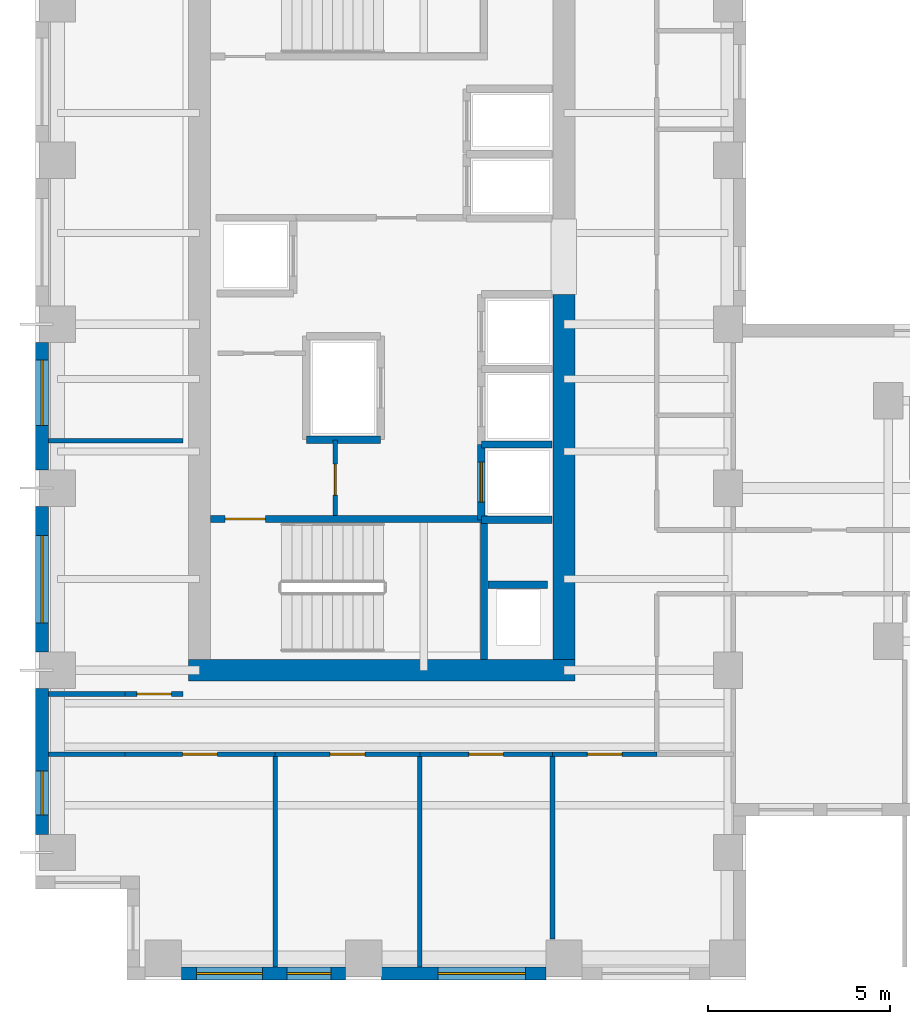
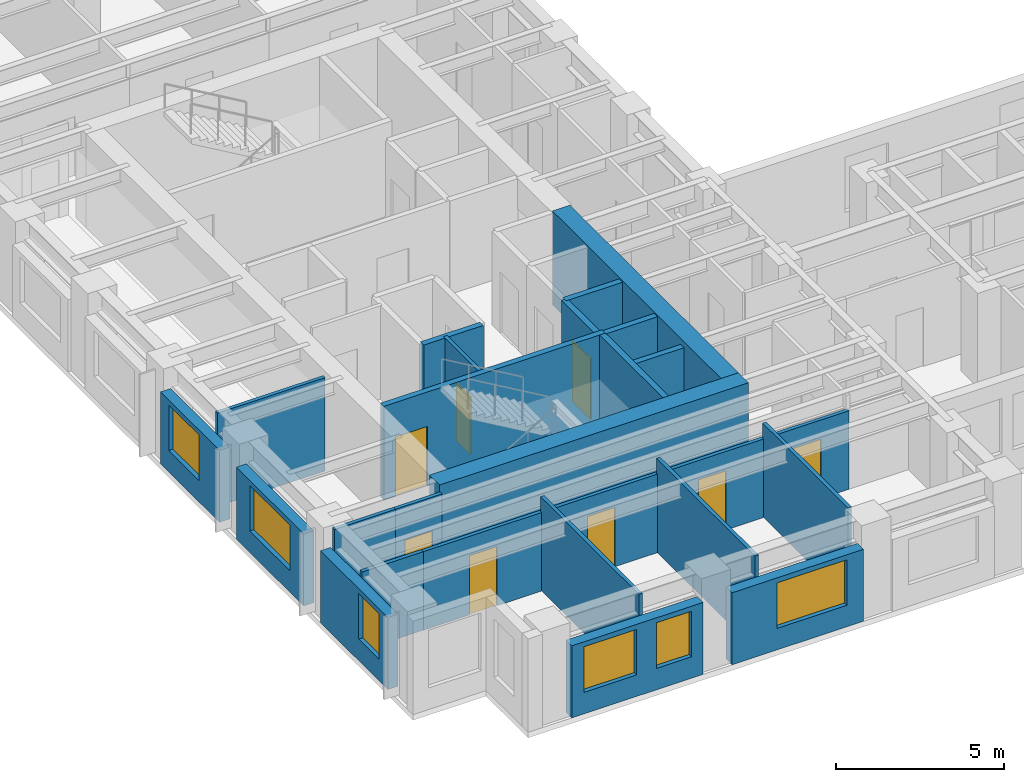
# One storey, part 3 of 11: 26 walls, 8 doors, 6 windows, 14 openings.
"""IFC4 building model written with IfcOpenShell, lengths in metres."""

from ifc_helpers import new_model, si_unit, direction, frame, frame_2d, origin, place, context, subcontext, project, spatial, rectangle, extrude, source, transform, mapped, material, layer, layer_set, type_object, element, fill, save


model = new_model("IFC4")

# Units and contexts
model_context = context("Model", 3, precision=1e-05, world=origin(), true_north=direction((0.0, 1.0)))
body_context = subcontext(model_context, "Body", "Model", "MODEL_VIEW")
ifc_project = project(units=[si_unit("LENGTHUNIT", "METRE"), si_unit("AREAUNIT", "SQUARE_METRE"), si_unit("VOLUMEUNIT", "CUBIC_METRE"), si_unit("PLANEANGLEUNIT", "RADIAN"), si_unit("MASSUNIT", "GRAM", prefix="KILO")], contexts=[model_context])

# Site, building, storey
site_placement = place(None, origin())
site = spatial("IfcSite", under=ifc_project, at=site_placement, CompositionType="ELEMENT")
building_placement = place(site_placement, origin())
building = spatial("IfcBuilding", under=site, at=building_placement, Name="Kharzan Plaza Tower", CompositionType="ELEMENT")
storey_placement = place(building_placement, frame((0.0, 0.0, 150.300048828125)))
storey = spatial("IfcBuildingStorey", under=building, at=storey_placement, Name="L40", CompositionType="ELEMENT", Elevation=150.300048828125)

# Wall, opening, window
ifc_material_1 = material(Name="Concrete C40/50", Category="concrete")
ifc_layer_1 = layer(ifc_material_1, 0.35009765625)
ifc_layer_set_1 = layer_set([ifc_layer_1], Name="Concrete C40/50")
wall_type_1 = type_object("IfcWallType", Name="WL-EXT-MAS-Z3", PredefinedType="SOLIDWALL", material=ifc_layer_set_1)
wall_1_placement = place(storey_placement, frame((0.175048828125, 17.501953125, 0.0), z_axis=(0.0, 0.0, 1.0), x_axis=(0.0, -1.0, 0.0)))
wall_1 = element("IfcWall", 1, at=wall_1_placement, inside=storey, type_object=wall_type_1, Name="L40 Masonry-Frame Exterior Wall 15", PredefinedType="SOLIDWALL", context=body_context, shape_type="SweptSolid", body=[
    extrude(rectangle(XDim=3.50390625, YDim=0.35009765625, at=frame_2d((1.751953125, 0.0))), origin(), (0.0, 0.0, 1.0), 2.612060546875),
])
opening_1_placement = place(wall_1_placement, frame((0.486083984375, 0.0, 0.780029296875)))
opening_1 = element("IfcOpeningElement", 2, at=opening_1_placement, cuts=wall_1, Name="Opening W1", PredefinedType="OPENING", context=body_context, shape_type="SweptSolid", body=[
    extrude(rectangle(XDim=1.800048828125, YDim=1.652099609375, at=frame_2d((0.89990234375, 0.826171875))), frame((0.0, 0.18505859375, 0.0), z_axis=(0.0, -1.0, 0.0), x_axis=(1.0, 0.0, 0.0)), (0.0, 0.0, 1.0), 0.3701171875),
])
ifc_material_2 = material(Name="Low-E Double Glazing", Category="glass")
window_type_1 = type_object("IfcWindowType", Name="WN-REC-1800x2100", PartitioningType="SINGLE_PANEL", PredefinedType="WINDOW", material=ifc_material_2)
shared_shape_1 = source(origin(), body_context, "Body", "SweptSolid", [
    extrude(rectangle(XDim=1.800048828125, YDim=1.652099609375, at=frame_2d((0.89990234375, 0.826171875))), frame((0.0, 0.030029296875, 0.0), z_axis=(0.0, -1.0, 0.0), x_axis=(1.0, 0.0, 0.0)), (0.0, 0.0, 1.0), 0.06005859375),
])
window_1_placement = place(opening_1_placement, origin())
window_1 = element("IfcWindow", 3, at=window_1_placement, inside=storey, type_object=window_type_1, Name="L40 Recessed Solar-Control Window 15-1", OverallHeight=1.652099609375, OverallWidth=1.800048828125, PartitioningType="SINGLE_PANEL", PredefinedType="WINDOW", context=body_context, shape_type="MappedRepresentation", body=[
    mapped(shared_shape_1, transform((0.0, 0.0, 0.0), x_axis=(1.0, 0.0, 0.0), y_axis=(0.0, 1.0, 0.0), z_axis=(0.0, 0.0, 1.0))),
])
fill(opening_1, window_1)

wall_2_placement = place(storey_placement, frame((0.175048828125, 13.001953125, 0.0), z_axis=(0.0, 0.0, 1.0), x_axis=(0.0, -1.0, 0.0)))
wall_2 = element("IfcWall", 4, at=wall_2_placement, inside=storey, type_object=wall_type_1, Name="L40 Masonry-Frame Exterior Wall 16", PredefinedType="SOLIDWALL", context=body_context, shape_type="SweptSolid", body=[
    extrude(rectangle(XDim=4.00390625, YDim=0.35009765625, at=frame_2d((2.001953125, 0.0))), origin(), (0.0, 0.0, 1.0), 2.612060546875),
])
opening_2_placement = place(wall_2_placement, frame((0.802001953125, 0.0, 0.780029296875)))
opening_2 = element("IfcOpeningElement", 5, at=opening_2_placement, cuts=wall_2, Name="Opening W2", PredefinedType="OPENING", context=body_context, shape_type="SweptSolid", body=[
    extrude(rectangle(XDim=2.39990234375, YDim=1.652099609375, at=frame_2d((1.199951171875, 0.826171875))), frame((0.0, 0.18505859375, 0.0), z_axis=(0.0, -1.0, 0.0), x_axis=(1.0, 0.0, 0.0)), (0.0, 0.0, 1.0), 0.3701171875),
])
window_type_2 = type_object("IfcWindowType", Name="WN-REC-2400x2100", PartitioningType="SINGLE_PANEL", PredefinedType="WINDOW", material=ifc_material_2)
shared_shape_2 = source(origin(), body_context, "Body", "SweptSolid", [
    extrude(rectangle(XDim=2.39990234375, YDim=1.652099609375, at=frame_2d((1.199951171875, 0.826171875))), frame((0.0, 0.030029296875, 0.0), z_axis=(0.0, -1.0, 0.0), x_axis=(1.0, 0.0, 0.0)), (0.0, 0.0, 1.0), 0.06005859375),
])
window_2_placement = place(opening_2_placement, origin())
window_2 = element("IfcWindow", 6, at=window_2_placement, inside=storey, type_object=window_type_2, Name="L40 Wide Recessed Solar-Control Window 16-1", OverallHeight=1.652099609375, OverallWidth=2.39990234375, PartitioningType="SINGLE_PANEL", PredefinedType="WINDOW", context=body_context, shape_type="MappedRepresentation", body=[
    mapped(shared_shape_2, transform((0.0, 0.0, 0.0), x_axis=(1.0, 0.0, 0.0), y_axis=(0.0, 1.0, 0.0), z_axis=(0.0, 0.0, 1.0))),
])
fill(opening_2, window_2)

wall_3_placement = place(storey_placement, frame((0.175048828125, 8.001953125, 0.0), z_axis=(0.0, 0.0, 1.0), x_axis=(0.0, -1.0, 0.0)))
wall_3 = element("IfcWall", 7, at=wall_3_placement, inside=storey, type_object=wall_type_1, Name="L40 Masonry-Frame Exterior Wall 17", PredefinedType="SOLIDWALL", context=body_context, shape_type="SweptSolid", body=[
    extrude(rectangle(XDim=4.00390625, YDim=0.35009765625, at=frame_2d((2.001953125, 0.0))), origin(), (0.0, 0.0, 1.0), 2.612060546875),
])
opening_3_placement = place(wall_3_placement, frame((2.26806640625, 0.0, 0.780029296875)))
opening_3 = element("IfcOpeningElement", 8, at=opening_3_placement, cuts=wall_3, Name="Opening W3", PredefinedType="OPENING", context=body_context, shape_type="SweptSolid", body=[
    extrude(rectangle(XDim=1.199951171875, YDim=1.652099609375, at=frame_2d((0.60009765625, 0.826171875))), frame((0.0, 0.18505859375, 0.0), z_axis=(0.0, -1.0, 0.0), x_axis=(1.0, 0.0, 0.0)), (0.0, 0.0, 1.0), 0.3701171875),
])
window_type_3 = type_object("IfcWindowType", Name="WN-REC-1200x2100", PartitioningType="SINGLE_PANEL", PredefinedType="WINDOW", material=ifc_material_2)
shared_shape_3 = source(origin(), body_context, "Body", "SweptSolid", [
    extrude(rectangle(XDim=1.199951171875, YDim=1.652099609375, at=frame_2d((0.60009765625, 0.826171875))), frame((0.0, 0.030029296875, 0.0), z_axis=(0.0, -1.0, 0.0), x_axis=(1.0, 0.0, 0.0)), (0.0, 0.0, 1.0), 0.06005859375),
])
window_3_placement = place(opening_3_placement, origin())
window_3 = element("IfcWindow", 9, at=window_3_placement, inside=storey, type_object=window_type_3, Name="L40 Recessed Solar-Control Window 17-1", OverallHeight=1.652099609375, OverallWidth=1.199951171875, PartitioningType="SINGLE_PANEL", PredefinedType="WINDOW", context=body_context, shape_type="MappedRepresentation", body=[
    mapped(shared_shape_3, transform((0.0, 0.0, 0.0), x_axis=(1.0, 0.0, 0.0), y_axis=(0.0, 1.0, 0.0), z_axis=(0.0, 0.0, 1.0))),
])
fill(opening_3, window_3)

# Wall, openings, windows
wall_4_placement = place(storey_placement, frame((3.998046875, 0.175048828125, 0.0), z_axis=(0.0, 0.0, 1.0), x_axis=(1.0, 0.0, 0.0)))
wall_4 = element("IfcWall", 10, at=wall_4_placement, inside=storey, type_object=wall_type_1, Name="L40 Masonry-Frame Exterior Wall 21", PredefinedType="SOLIDWALL", context=body_context, shape_type="SweptSolid", body=[
    extrude(rectangle(XDim=4.50390625, YDim=0.35009765625, at=frame_2d((2.251953125, 0.0))), origin(), (0.0, 0.0, 1.0), 2.612060546875),
])
opening_4_placement = place(wall_4_placement, frame((0.422119140625, 0.0, 0.780029296875)))
opening_4 = element("IfcOpeningElement", 11, at=opening_4_placement, cuts=wall_4, Name="Opening W1", PredefinedType="OPENING", context=body_context, shape_type="SweptSolid", body=[
    extrude(rectangle(XDim=1.800048828125, YDim=1.652099609375, at=frame_2d((0.89990234375, 0.826171875))), frame((0.0, 0.18505859375, 0.0), z_axis=(0.0, -1.0, 0.0), x_axis=(1.0, 0.0, 0.0)), (0.0, 0.0, 1.0), 0.3701171875),
])
opening_5_placement = place(wall_4_placement, frame((2.904052734375, 0.0, 0.780029296875)))
opening_5 = element("IfcOpeningElement", 12, at=opening_5_placement, cuts=wall_4, Name="Opening W3", PredefinedType="OPENING", context=body_context, shape_type="SweptSolid", body=[
    extrude(rectangle(XDim=1.199951171875, YDim=1.652099609375, at=frame_2d((0.60009765625, 0.826171875))), frame((0.0, 0.18505859375, 0.0), z_axis=(0.0, -1.0, 0.0), x_axis=(1.0, 0.0, 0.0)), (0.0, 0.0, 1.0), 0.3701171875),
])
window_4_placement = place(opening_4_placement, origin())
window_4 = element("IfcWindow", 13, at=window_4_placement, inside=storey, type_object=window_type_1, Name="L40 Recessed Solar-Control Window 21-1", OverallHeight=1.652099609375, OverallWidth=1.800048828125, PartitioningType="SINGLE_PANEL", PredefinedType="WINDOW", context=body_context, shape_type="MappedRepresentation", body=[
    mapped(shared_shape_1, transform((0.0, 0.0, 0.0), x_axis=(1.0, 0.0, 0.0), y_axis=(0.0, 1.0, 0.0), z_axis=(0.0, 0.0, 1.0))),
])
fill(opening_4, window_4)
window_5_placement = place(opening_5_placement, origin())
window_5 = element("IfcWindow", 14, at=window_5_placement, inside=storey, type_object=window_type_3, Name="L40 Recessed Solar-Control Window 21-2", OverallHeight=1.652099609375, OverallWidth=1.199951171875, PartitioningType="SINGLE_PANEL", PredefinedType="WINDOW", context=body_context, shape_type="MappedRepresentation", body=[
    mapped(shared_shape_3, transform((0.0, 0.0, 0.0), x_axis=(1.0, 0.0, 0.0), y_axis=(0.0, 1.0, 0.0), z_axis=(0.0, 0.0, 1.0))),
])
fill(opening_5, window_5)

# Wall, opening, window
wall_5_placement = place(storey_placement, frame((9.498046875, 0.175048828125, 0.0), z_axis=(0.0, 0.0, 1.0), x_axis=(1.0, 0.0, 0.0)))
wall_5 = element("IfcWall", 15, at=wall_5_placement, inside=storey, type_object=wall_type_1, Name="L40 Masonry-Frame Exterior Wall 22", PredefinedType="SOLIDWALL", context=body_context, shape_type="SweptSolid", body=[
    extrude(rectangle(XDim=4.50390625, YDim=0.35009765625, at=frame_2d((2.251953125, 0.0))), origin(), (0.0, 0.0, 1.0), 2.612060546875),
])
opening_6_placement = place(wall_5_placement, frame((1.5400390625, 0.0, 0.780029296875)))
opening_6 = element("IfcOpeningElement", 16, at=opening_6_placement, cuts=wall_5, Name="Opening W2", PredefinedType="OPENING", context=body_context, shape_type="SweptSolid", body=[
    extrude(rectangle(XDim=2.39990234375, YDim=1.652099609375, at=frame_2d((1.199951171875, 0.826171875))), frame((0.0, 0.18505859375, 0.0), z_axis=(0.0, -1.0, 0.0), x_axis=(1.0, 0.0, 0.0)), (0.0, 0.0, 1.0), 0.3701171875),
])
window_6_placement = place(opening_6_placement, origin())
window_6 = element("IfcWindow", 17, at=window_6_placement, inside=storey, type_object=window_type_2, Name="L40 Wide Recessed Solar-Control Window 22-1", OverallHeight=1.652099609375, OverallWidth=2.39990234375, PartitioningType="SINGLE_PANEL", PredefinedType="WINDOW", context=body_context, shape_type="MappedRepresentation", body=[
    mapped(shared_shape_2, transform((0.0, 0.0, 0.0), x_axis=(1.0, 0.0, 0.0), y_axis=(0.0, 1.0, 0.0), z_axis=(0.0, 0.0, 1.0))),
])
fill(opening_6, window_6)

# Wall, opening, door
ifc_material_3 = material(Name="Fire-Rated Gypsum Board Partition", Category="gypsum")
ifc_layer_2 = layer(ifc_material_3, 0.125)
ifc_layer_set_2 = layer_set([ifc_layer_2], Name="Fire-Rated Gypsum Board Partition")
wall_type_2 = type_object("IfcWallType", Name="WL-INT-PART-125", PredefinedType="PARTITIONING", material=ifc_layer_set_2)
wall_6_placement = place(storey_placement, frame((8.219970703125, 12.75, 0.0), z_axis=(0.0, 0.0, 1.0), x_axis=(0.0, 1.0, 0.0)))
wall_6 = element("IfcWall", 18, at=wall_6_placement, inside=storey, type_object=wall_type_2, Name="L40 Interior Partition CA-K1E", PredefinedType="PARTITIONING", context=body_context, shape_type="SweptSolid", body=[
    extrude(rectangle(XDim=2.070068359375, YDim=0.125, at=frame_2d((1.03515625, 0.0))), origin(), (0.0, 0.0, 1.0), 3.385009765625),
])
opening_7_placement = place(wall_6_placement, frame((0.56005859375, 0.0, 0.0)))
opening_7 = element("IfcOpeningElement", 19, at=opening_7_placement, cuts=wall_6, Name="Opening RD1", PredefinedType="OPENING", context=body_context, shape_type="SweptSolid", body=[
    extrude(rectangle(XDim=0.85009765625, YDim=2.10009765625, at=frame_2d((0.425048828125, 1.050048828125))), frame((0.0, 0.072509765625, 0.0), z_axis=(0.0, -1.0, 0.0), x_axis=(1.0, 0.0, 0.0)), (0.0, 0.0, 1.0), 0.14501953125),
])
ifc_material_4 = material(Name="Powder-Coated Fire-Rated Steel", Category="steel")
door_type_1 = type_object("IfcDoorType", Name="DR-RISER-900", OperationType="NOTDEFINED", PredefinedType="DOOR", material=ifc_material_4)
shared_shape_4 = source(origin(), body_context, "Body", "SweptSolid", [
    extrude(rectangle(XDim=0.85009765625, YDim=2.10009765625, at=frame_2d((0.425048828125, 1.050048828125))), frame((0.0, 0.02490234375, 0.0), z_axis=(0.0, -1.0, 0.0), x_axis=(1.0, 0.0, 0.0)), (0.0, 0.0, 1.0), 0.050048828125),
])
door_1_placement = place(opening_7_placement, origin())
door_1 = element("IfcDoor", 20, at=door_1_placement, inside=storey, type_object=door_type_1, Name="L40 Core Service Store Door", OperationType="SINGLE_SWING_RIGHT", OverallHeight=2.10009765625, OverallWidth=0.85009765625, PredefinedType="DOOR", context=body_context, shape_type="MappedRepresentation", body=[
    mapped(shared_shape_4, transform((0.0, 0.0, 0.0), x_axis=(1.0, 0.0, 0.0), y_axis=(0.0, 1.0, 0.0), z_axis=(0.0, 0.0, 1.0))),
])
fill(opening_7, door_1)

wall_7_placement = place(storey_placement, frame((2.449951171875, 7.85009765625, 0.0), z_axis=(0.0, 0.0, 1.0), x_axis=(1.0, 0.0, 0.0)))
wall_7 = element("IfcWall", 21, at=wall_7_placement, inside=storey, type_object=wall_type_2, Name="L40 Interior Partition SH-RWSD", PredefinedType="PARTITIONING", context=body_context, shape_type="SweptSolid", body=[
    extrude(rectangle(XDim=1.60009765625, YDim=0.125, at=frame_2d((0.800048828125, 0.0))), origin(), (0.0, 0.0, 1.0), 3.385009765625),
])
opening_8_placement = place(wall_7_placement, frame((0.324951171875, 0.0, 0.0)))
opening_8 = element("IfcOpeningElement", 22, at=opening_8_placement, cuts=wall_7, Name="Opening OD1", PredefinedType="OPENING", context=body_context, shape_type="SweptSolid", body=[
    extrude(rectangle(XDim=0.949951171875, YDim=2.14990234375, at=frame_2d((0.47509765625, 1.074951171875))), frame((0.0, 0.072509765625, 0.0), z_axis=(0.0, -1.0, 0.0), x_axis=(1.0, 0.0, 0.0)), (0.0, 0.0, 1.0), 0.14501953125),
])
ifc_material_5 = material(Name="Acoustic Solid-Core Stained Oak", Category="timber")
door_type_2 = type_object("IfcDoorType", Name="DR-OFF-SINGLE", OperationType="NOTDEFINED", PredefinedType="DOOR", material=ifc_material_5)
shared_shape_5 = source(origin(), body_context, "Body", "SweptSolid", [
    extrude(rectangle(XDim=0.949951171875, YDim=2.14990234375, at=frame_2d((0.47509765625, 1.074951171875))), frame((0.0, 0.02490234375, 0.0), z_axis=(0.0, -1.0, 0.0), x_axis=(1.0, 0.0, 0.0)), (0.0, 0.0, 1.0), 0.050048828125),
])
door_2_placement = place(opening_8_placement, origin())
door_2 = element("IfcDoor", 23, at=door_2_placement, inside=storey, type_object=door_type_2, Name="L40 West Office 1 Door", OperationType="SINGLE_SWING_RIGHT", OverallHeight=2.14990234375, OverallWidth=0.949951171875, PredefinedType="DOOR", context=body_context, shape_type="MappedRepresentation", body=[
    mapped(shared_shape_5, transform((0.0, 0.0, 0.0), x_axis=(1.0, 0.0, 0.0), y_axis=(0.0, 1.0, 0.0), z_axis=(0.0, 0.0, 1.0))),
])
fill(opening_8, door_2)

wall_8_placement = place(storey_placement, frame((2.449951171875, 6.199951171875, 0.0), z_axis=(0.0, 0.0, 1.0), x_axis=(1.0, 0.0, 0.0)))
wall_8 = element("IfcWall", 24, at=wall_8_placement, inside=storey, type_object=wall_type_2, Name="L40 Interior Partition SH-SS-1", PredefinedType="PARTITIONING", context=body_context, shape_type="SweptSolid", body=[
    extrude(rectangle(XDim=4.1220703125, YDim=0.125, at=frame_2d((2.06103515625, 0.0))), origin(), (0.0, 0.0, 1.0), 2.847900390625),
])
opening_9_placement = place(wall_8_placement, frame((1.5859375, 0.0, 0.0)))
opening_9 = element("IfcOpeningElement", 25, at=opening_9_placement, cuts=wall_8, Name="Opening OD1", PredefinedType="OPENING", context=body_context, shape_type="SweptSolid", body=[
    extrude(rectangle(XDim=0.949951171875, YDim=2.14990234375, at=frame_2d((0.47509765625, 1.074951171875))), frame((0.0, 0.072509765625, 0.0), z_axis=(0.0, -1.0, 0.0), x_axis=(1.0, 0.0, 0.0)), (0.0, 0.0, 1.0), 0.14501953125),
])
door_3_placement = place(opening_9_placement, origin())
door_3 = element("IfcDoor", 26, at=door_3_placement, inside=storey, type_object=door_type_2, Name="L40 Standards Compliance Office Door", OperationType="SINGLE_SWING_RIGHT", OverallHeight=2.14990234375, OverallWidth=0.949951171875, PredefinedType="DOOR", context=body_context, shape_type="MappedRepresentation", body=[
    mapped(shared_shape_5, transform((0.0, 0.0, 0.0), x_axis=(1.0, 0.0, 0.0), y_axis=(0.0, 1.0, 0.0), z_axis=(0.0, 0.0, 1.0))),
])
fill(opening_9, door_3)

wall_9_placement = place(storey_placement, frame((6.572021484375, 6.199951171875, 0.0), z_axis=(0.0, 0.0, 1.0), x_axis=(1.0, 0.0, 0.0)))
wall_9 = element("IfcWall", 27, at=wall_9_placement, inside=storey, type_object=wall_type_2, Name="L40 Interior Partition SH-SS-2", PredefinedType="PARTITIONING", context=body_context, shape_type="SweptSolid", body=[
    extrude(rectangle(XDim=3.971923828125, YDim=0.125, at=frame_2d((1.98583984375, 0.0))), origin(), (0.0, 0.0, 1.0), 2.847900390625),
])
opening_10_placement = place(wall_9_placement, frame((1.510986328125, 0.0, 0.0)))
opening_10 = element("IfcOpeningElement", 28, at=opening_10_placement, cuts=wall_9, Name="Opening OD1", PredefinedType="OPENING", context=body_context, shape_type="SweptSolid", body=[
    extrude(rectangle(XDim=0.949951171875, YDim=2.14990234375, at=frame_2d((0.47509765625, 1.074951171875))), frame((0.0, 0.072509765625, 0.0), z_axis=(0.0, -1.0, 0.0), x_axis=(1.0, 0.0, 0.0)), (0.0, 0.0, 1.0), 0.14501953125),
])
door_4_placement = place(opening_10_placement, origin())
door_4 = element("IfcDoor", 29, at=door_4_placement, inside=storey, type_object=door_type_2, Name="L40 Architectural Design Studio Door", OperationType="SINGLE_SWING_LEFT", OverallHeight=2.14990234375, OverallWidth=0.949951171875, PredefinedType="DOOR", context=body_context, shape_type="MappedRepresentation", body=[
    mapped(shared_shape_5, transform((0.0, 0.0, 0.0), x_axis=(1.0, 0.0, 0.0), y_axis=(0.0, 1.0, 0.0), z_axis=(0.0, 0.0, 1.0))),
])
fill(opening_10, door_4)

wall_10_placement = place(storey_placement, frame((10.5439453125, 6.199951171875, 0.0), z_axis=(0.0, 0.0, 1.0), x_axis=(1.0, 0.0, 0.0)))
wall_10 = element("IfcWall", 30, at=wall_10_placement, inside=storey, type_object=wall_type_2, Name="L40 Interior Partition SH-SS-3", PredefinedType="PARTITIONING", context=body_context, shape_type="SweptSolid", body=[
    extrude(rectangle(XDim=3.64111328125, YDim=0.125, at=frame_2d((1.820556640625, 0.0))), origin(), (0.0, 0.0, 1.0), 2.847900390625),
])
opening_11_placement = place(wall_10_placement, frame((1.345458984375, 0.0, 0.0)))
opening_11 = element("IfcOpeningElement", 31, at=opening_11_placement, cuts=wall_10, Name="Opening OD1", PredefinedType="OPENING", context=body_context, shape_type="SweptSolid", body=[
    extrude(rectangle(XDim=0.949951171875, YDim=2.14990234375, at=frame_2d((0.47509765625, 1.074951171875))), frame((0.0, 0.072509765625, 0.0), z_axis=(0.0, -1.0, 0.0), x_axis=(1.0, 0.0, 0.0)), (0.0, 0.0, 1.0), 0.14501953125),
])
door_5_placement = place(opening_11_placement, origin())
door_5 = element("IfcDoor", 32, at=door_5_placement, inside=storey, type_object=door_type_2, Name="L40 Architectural Design Studio Door", OperationType="SINGLE_SWING_RIGHT", OverallHeight=2.14990234375, OverallWidth=0.949951171875, PredefinedType="DOOR", context=body_context, shape_type="MappedRepresentation", body=[
    mapped(shared_shape_5, transform((0.0, 0.0, 0.0), x_axis=(1.0, 0.0, 0.0), y_axis=(0.0, 1.0, 0.0), z_axis=(0.0, 0.0, 1.0))),
])
fill(opening_11, door_5)

wall_11_placement = place(storey_placement, frame((14.18505859375, 6.199951171875, 0.0), z_axis=(0.0, 0.0, 1.0), x_axis=(1.0, 0.0, 0.0)))
wall_11 = element("IfcWall", 33, at=wall_11_placement, inside=storey, type_object=wall_type_2, Name="L40 Interior Partition SH-SS-4", PredefinedType="PARTITIONING", context=body_context, shape_type="SweptSolid", body=[
    extrude(rectangle(XDim=2.864990234375, YDim=0.125, at=frame_2d((1.4326171875, 0.0))), origin(), (0.0, 0.0, 1.0), 2.847900390625),
])
opening_12_placement = place(wall_11_placement, frame((0.95751953125, 0.0, 0.0)))
opening_12 = element("IfcOpeningElement", 34, at=opening_12_placement, cuts=wall_11, Name="Opening OD1", PredefinedType="OPENING", context=body_context, shape_type="SweptSolid", body=[
    extrude(rectangle(XDim=0.949951171875, YDim=2.14990234375, at=frame_2d((0.47509765625, 1.074951171875))), frame((0.0, 0.072509765625, 0.0), z_axis=(0.0, -1.0, 0.0), x_axis=(1.0, 0.0, 0.0)), (0.0, 0.0, 1.0), 0.14501953125),
])
door_6_placement = place(opening_12_placement, origin())
door_6 = element("IfcDoor", 35, at=door_6_placement, inside=storey, type_object=door_type_2, Name="L40 Naval Engineering Studio Door", OperationType="SINGLE_SWING_LEFT", OverallHeight=2.14990234375, OverallWidth=0.949951171875, PredefinedType="DOOR", context=body_context, shape_type="MappedRepresentation", body=[
    mapped(shared_shape_5, transform((0.0, 0.0, 0.0), x_axis=(1.0, 0.0, 0.0), y_axis=(0.0, 1.0, 0.0), z_axis=(0.0, 0.0, 1.0))),
])
fill(opening_12, door_6)

ifc_layer_3 = layer(ifc_material_1, 0.199951171875)
ifc_layer_set_3 = layer_set([ifc_layer_3], Name="Concrete C40/50")
wall_type_3 = type_object("IfcWallType", Name="WL-INT-SHAFT-200", PredefinedType="PARTITIONING", material=ifc_layer_set_3)
wall_12_placement = place(storey_placement, frame((12.22998046875, 12.6298828125, 0.0), z_axis=(0.0, 0.0, 1.0), x_axis=(0.0, 1.0, 0.0)))
wall_12 = element("IfcWall", 36, at=wall_12_placement, inside=storey, type_object=wall_type_3, Name="L40 Interior Partition SHF-PL-H1-W", PredefinedType="PARTITIONING", context=body_context, shape_type="SweptSolid", body=[
    extrude(rectangle(XDim=2.070068359375, YDim=0.199951171875, at=frame_2d((1.03515625, 0.0))), origin(), (0.0, 0.0, 1.0), 3.385009765625),
])
opening_13_placement = place(wall_12_placement, frame((0.485107421875, 0.0, 0.0)))
opening_13 = element("IfcOpeningElement", 37, at=opening_13_placement, cuts=wall_12, Name="Opening LD", PredefinedType="OPENING", context=body_context, shape_type="SweptSolid", body=[
    extrude(rectangle(XDim=1.10009765625, YDim=2.199951171875, at=frame_2d((0.550048828125, 1.10009765625))), frame((0.0, 0.10986328125, 0.0), z_axis=(0.0, -1.0, 0.0), x_axis=(1.0, 0.0, 0.0)), (0.0, 0.0, 1.0), 0.219970703125),
])
ifc_material_6 = material(Name="Brushed Stainless Steel", Category="steel")
door_type_3 = type_object("IfcDoorType", Name="DR-LIFT-SLIDE", OperationType="SLIDING_TO_LEFT", PredefinedType="DOOR", material=ifc_material_6)
shared_shape_6 = source(origin(), body_context, "Body", "SweptSolid", [
    extrude(rectangle(XDim=1.10009765625, YDim=2.199951171875, at=frame_2d((0.550048828125, 1.10009765625))), frame((0.0, 0.02490234375, 0.0), z_axis=(0.0, -1.0, 0.0), x_axis=(1.0, 0.0, 0.0)), (0.0, 0.0, 1.0), 0.050048828125),
])
door_7_placement = place(opening_13_placement, origin())
door_7 = element("IfcDoor", 38, at=door_7_placement, inside=storey, type_object=door_type_3, Name="L40 High-Rise Passenger Lift PL-H1 Sliding Landing Door", OperationType="SLIDING_TO_LEFT", OverallHeight=2.199951171875, OverallWidth=1.10009765625, PredefinedType="DOOR", context=body_context, shape_type="MappedRepresentation", body=[
    mapped(shared_shape_6, transform((0.0, 0.0, 0.0), x_axis=(1.0, 0.0, 0.0), y_axis=(0.0, 1.0, 0.0), z_axis=(0.0, 0.0, 1.0))),
])
fill(opening_13, door_7)

ifc_material_7 = material(Name="Concrete C50/60", Category="concrete")
ifc_layer_4 = layer(ifc_material_7, 0.199951171875)
ifc_layer_set_4 = layer_set([ifc_layer_4], Name="Concrete C50/60")
wall_type_4 = type_object("IfcWallType", Name="WL-SHAFT-RC200", PredefinedType="SHEAR", material=ifc_layer_set_4)
wall_13_placement = place(storey_placement, frame((4.802001953125, 12.655029296875, 0.0), z_axis=(0.0, 0.0, 1.0), x_axis=(1.0, 0.0, 0.0)))
wall_13 = element("IfcWall", 39, at=wall_13_placement, inside=storey, type_object=wall_type_4, Name="L40 Stair ST-1 North RC Shaft Wall", PredefinedType="SHEAR", context=body_context, shape_type="SweptSolid", body=[
    extrude(rectangle(XDim=7.60302734375, YDim=0.199951171875, at=frame_2d((3.801513671875, 0.0))), origin(), (0.0, 0.0, 1.0), 3.39990234375),
])
opening_14_placement = place(wall_13_placement, frame((0.39990234375, 0.0, 0.0)))
opening_14 = element("IfcOpeningElement", 40, at=opening_14_placement, cuts=wall_13, Name="Opening SD1", PredefinedType="OPENING", context=body_context, shape_type="SweptSolid", body=[
    extrude(rectangle(XDim=1.10009765625, YDim=2.14990234375, at=frame_2d((0.550048828125, 1.074951171875))), frame((0.0, 0.10986328125, 0.0), z_axis=(0.0, -1.0, 0.0), x_axis=(1.0, 0.0, 0.0)), (0.0, 0.0, 1.0), 0.219970703125),
])
ifc_material_8 = material(Name="Fire-Rated Hollow Galvanized Steel", Category="steel")
door_type_4 = type_object("IfcDoorType", Name="DR-STAIR-FD120", OperationType="NOTDEFINED", PredefinedType="DOOR", material=ifc_material_8)
shared_shape_7 = source(origin(), body_context, "Body", "SweptSolid", [
    extrude(rectangle(XDim=1.10009765625, YDim=2.14990234375, at=frame_2d((0.550048828125, 1.074951171875))), frame((0.0, 0.02490234375, 0.0), z_axis=(0.0, -1.0, 0.0), x_axis=(1.0, 0.0, 0.0)), (0.0, 0.0, 1.0), 0.050048828125),
])
door_8_placement = place(opening_14_placement, origin())
door_8 = element("IfcDoor", 41, at=door_8_placement, inside=storey, type_object=door_type_4, Name="L40 Stair ST-1 Fire Exit Door", OperationType="SINGLE_SWING_RIGHT", OverallHeight=2.14990234375, OverallWidth=1.10009765625, PredefinedType="DOOR", context=body_context, shape_type="MappedRepresentation", body=[
    mapped(shared_shape_7, transform((0.0, 0.0, 0.0), x_axis=(1.0, 0.0, 0.0), y_axis=(0.0, 1.0, 0.0), z_axis=(0.0, 0.0, 1.0))),
])
fill(opening_14, door_8)

# Walls
ifc_layer_5 = layer(ifc_material_7, 0.60009765625)
ifc_layer_set_5 = layer_set([ifc_layer_5], Name="Concrete C50/60")
wall_type_5 = type_object("IfcWallType", Name="WL-CORE-600", PredefinedType="SHEAR", material=ifc_layer_set_5)
shared_shape_8 = source(origin(), body_context, "Body", "SweptSolid", [
    extrude(rectangle(XDim=10.02001953125, YDim=0.60009765625, at=frame_2d((5.010009765625, 0.0))), origin(), (0.0, 0.0, 1.0), 3.39990234375),
])
wall_14_placement = place(storey_placement, frame((14.5, 8.800048828125, 0.0), z_axis=(0.0, 0.0, 1.0), x_axis=(0.0, 1.0, 0.0)))
element("IfcWall", 42, at=wall_14_placement, inside=storey, type_object=wall_type_5, Name="L40 CORE-A east shear pier 1", PredefinedType="SHEAR", context=body_context, shape_type="MappedRepresentation", body=[
    mapped(shared_shape_8, transform((0.0, 0.0, 0.0), x_axis=(1.0, 0.0, 0.0), y_axis=(0.0, 1.0, 0.0), z_axis=(0.0, 0.0, 1.0))),
])
shared_shape_9 = source(origin(), body_context, "Body", "SweptSolid", [
    extrude(rectangle(XDim=10.60009765625, YDim=0.60009765625, at=frame_2d((5.300048828125, 0.0))), origin(), (0.0, 0.0, 1.0), 3.39990234375),
])
wall_15_placement = place(storey_placement, frame((4.199951171875, 8.5, 0.0), z_axis=(0.0, 0.0, 1.0), x_axis=(1.0, 0.0, 0.0)))
element("IfcWall", 43, at=wall_15_placement, inside=storey, type_object=wall_type_5, Name="L40 CORE-A south RC shear wall", PredefinedType="SHEAR", context=body_context, shape_type="MappedRepresentation", body=[
    mapped(shared_shape_9, transform((0.0, 0.0, 0.0), x_axis=(1.0, 0.0, 0.0), y_axis=(0.0, 1.0, 0.0), z_axis=(0.0, 0.0, 1.0))),
])
shared_shape_10 = source(origin(), body_context, "Body", "SweptSolid", [
    extrude(rectangle(XDim=2.097900390625, YDim=0.125, at=frame_2d((1.048828125, 0.0))), origin(), (0.0, 0.0, 1.0), 3.385009765625),
])
wall_16_placement = place(storey_placement, frame((0.35205078125, 7.85009765625, 0.0), z_axis=(0.0, 0.0, 1.0), x_axis=(1.0, 0.0, 0.0)))
element("IfcWall", 44, at=wall_16_placement, inside=storey, type_object=wall_type_2, Name="L40 Interior Partition SH-RWS0", PredefinedType="PARTITIONING", context=body_context, shape_type="MappedRepresentation", body=[
    mapped(shared_shape_10, transform((0.0, 0.0, 0.0), x_axis=(1.0, 0.0, 0.0), y_axis=(0.0, 1.0, 0.0), z_axis=(0.0, 0.0, 1.0))),
])
shared_shape_11 = source(origin(), body_context, "Body", "SweptSolid", [
    extrude(rectangle(XDim=2.097900390625, YDim=0.125, at=frame_2d((1.048828125, 0.0))), origin(), (0.0, 0.0, 1.0), 2.847900390625),
])
wall_17_placement = place(storey_placement, frame((0.35205078125, 6.199951171875, 0.0), z_axis=(0.0, 0.0, 1.0), x_axis=(1.0, 0.0, 0.0)))
element("IfcWall", 45, at=wall_17_placement, inside=storey, type_object=wall_type_2, Name="L40 Interior Partition SH-SS-EXT", PredefinedType="PARTITIONING", context=body_context, shape_type="MappedRepresentation", body=[
    mapped(shared_shape_11, transform((0.0, 0.0, 0.0), x_axis=(1.0, 0.0, 0.0), y_axis=(0.0, 1.0, 0.0), z_axis=(0.0, 0.0, 1.0))),
])
shared_shape_12 = source(origin(), body_context, "Body", "SweptSolid", [
    extrude(rectangle(XDim=1.630126953125, YDim=0.199951171875, at=frame_2d((0.81494140625, 0.0))), origin(), (0.0, 0.0, 1.0), 3.385009765625),
])
wall_18_placement = place(storey_placement, frame((12.419921875, 10.85009765625, 0.0), z_axis=(0.0, 0.0, 1.0), x_axis=(1.0, 0.0, 0.0)))
element("IfcWall", 46, at=wall_18_placement, inside=storey, type_object=wall_type_3, Name="L40 Interior Partition CA-RSRA-N", PredefinedType="PARTITIONING", context=body_context, shape_type="MappedRepresentation", body=[
    mapped(shared_shape_12, transform((0.0, 0.0, 0.0), x_axis=(1.0, 0.0, 0.0), y_axis=(0.0, 1.0, 0.0), z_axis=(0.0, 0.0, 1.0))),
])
shared_shape_13 = source(origin(), body_context, "Body", "SweptSolid", [
    extrude(rectangle(XDim=1.93994140625, YDim=0.199951171875, at=frame_2d((0.969970703125, 0.0))), origin(), (0.0, 0.0, 1.0), 3.385009765625),
])
for number, where, z_axis, x_axis, name in (
    (47, (12.22998046875, 14.699951171875, 0.0), (0.0, 0.0, 1.0), (1.0, 0.0, 0.0), "L40 Interior Partition SHF-PL-H1-N"),
    (48, (12.22998046875, 12.6298828125, 0.0), (0.0, 0.0, 1.0), (1.0, 0.0, 0.0), "L40 Interior Partition SHF-PL-H1-S"),
):
    element("IfcWall", number, at=place(storey_placement, frame(where, z_axis=z_axis, x_axis=x_axis)), inside=storey, type_object=wall_type_3, Name=name, PredefinedType="PARTITIONING", context=body_context, shape_type="MappedRepresentation", body=[
        mapped(shared_shape_13, transform((0.0, 0.0, 0.0), x_axis=(1.0, 0.0, 0.0), y_axis=(0.0, 1.0, 0.0), z_axis=(0.0, 0.0, 1.0))),
    ])
shared_shape_14 = source(origin(), body_context, "Body", "SweptSolid", [
    extrude(rectangle(XDim=2.0400390625, YDim=0.199951171875, at=frame_2d((1.02001953125, 0.0))), origin(), (0.0, 0.0, 1.0), 3.385009765625),
])
wall_19_placement = place(storey_placement, frame((7.429931640625, 14.830078125, 0.0), z_axis=(0.0, 0.0, 1.0), x_axis=(1.0, 0.0, 0.0)))
element("IfcWall", 49, at=wall_19_placement, inside=storey, type_object=wall_type_3, Name="L40 Interior Partition SHF-SVL-1-S", PredefinedType="PARTITIONING", context=body_context, shape_type="MappedRepresentation", body=[
    mapped(shared_shape_14, transform((0.0, 0.0, 0.0), x_axis=(1.0, 0.0, 0.0), y_axis=(0.0, 1.0, 0.0), z_axis=(0.0, 0.0, 1.0))),
])
shared_shape_15 = source(origin(), body_context, "Body", "SweptSolid", [
    extrude(rectangle(XDim=3.7529296875, YDim=0.199951171875, at=frame_2d((1.87646484375, 0.0))), origin(), (0.0, 0.0, 1.0), 3.39990234375),
])
wall_20_placement = place(storey_placement, frame((12.304931640625, 8.802001953125, 0.0), z_axis=(0.0, 0.0, 1.0), x_axis=(0.0, 1.0, 0.0)))
element("IfcWall", 50, at=wall_20_placement, inside=storey, type_object=wall_type_4, Name="L40 Stair ST-1 East RC Shaft Wall", PredefinedType="SHEAR", context=body_context, shape_type="MappedRepresentation", body=[
    mapped(shared_shape_15, transform((0.0, 0.0, 0.0), x_axis=(1.0, 0.0, 0.0), y_axis=(0.0, 1.0, 0.0), z_axis=(0.0, 0.0, 1.0))),
])
shared_shape_16 = source(origin(), body_context, "Body", "SweptSolid", [
    extrude(rectangle(XDim=5.847900390625, YDim=0.125, at=frame_2d((2.923828125, 0.0))), origin(), (0.0, 0.0, 1.0), 3.385009765625),
])
for number, where, z_axis, x_axis, name in (
    (51, (6.572021484375, 0.35205078125, 0.0), (0.0, 0.0, 1.0), (0.0, 1.0, 0.0), "L40 Interior Partition SH-SV-1"),
    (52, (10.5439453125, 0.35205078125, 0.0), (0.0, 0.0, 1.0), (0.0, 1.0, 0.0), "L40 Interior Partition SH-SV-2"),
):
    element("IfcWall", number, at=place(storey_placement, frame(where, z_axis=z_axis, x_axis=x_axis)), inside=storey, type_object=wall_type_2, Name=name, PredefinedType="PARTITIONING", context=body_context, shape_type="MappedRepresentation", body=[
        mapped(shared_shape_16, transform((0.0, 0.0, 0.0), x_axis=(1.0, 0.0, 0.0), y_axis=(0.0, 1.0, 0.0), z_axis=(0.0, 0.0, 1.0))),
    ])
shared_shape_17 = source(origin(), body_context, "Body", "SweptSolid", [
    extrude(rectangle(XDim=5.079833984375, YDim=0.125, at=frame_2d((2.5400390625, 0.0))), origin(), (0.0, 0.0, 1.0), 3.385009765625),
])
wall_21_placement = place(storey_placement, frame((14.18505859375, 1.1201171875, 0.0), z_axis=(0.0, 0.0, 1.0), x_axis=(0.0, 1.0, 0.0)))
element("IfcWall", 53, at=wall_21_placement, inside=storey, type_object=wall_type_2, Name="L40 Interior Partition SH-SV-3", PredefinedType="PARTITIONING", context=body_context, shape_type="MappedRepresentation", body=[
    mapped(shared_shape_17, transform((0.0, 0.0, 0.0), x_axis=(1.0, 0.0, 0.0), y_axis=(0.0, 1.0, 0.0), z_axis=(0.0, 0.0, 1.0))),
])
shared_shape_18 = source(origin(), body_context, "Body", "SweptSolid", [
    extrude(rectangle(XDim=3.697998046875, YDim=0.125, at=frame_2d((1.84912109375, 0.0))), origin(), (0.0, 0.0, 1.0), 3.385009765625),
])
wall_22_placement = place(storey_placement, frame((0.35205078125, 14.800048828125, 0.0), z_axis=(0.0, 0.0, 1.0), x_axis=(1.0, 0.0, 0.0)))
element("IfcWall", 54, at=wall_22_placement, inside=storey, type_object=wall_type_2, Name="L40 Interior Partition SH-WMID", PredefinedType="PARTITIONING", context=body_context, shape_type="MappedRepresentation", body=[
    mapped(shared_shape_18, transform((0.0, 0.0, 0.0), x_axis=(1.0, 0.0, 0.0), y_axis=(0.0, 1.0, 0.0), z_axis=(0.0, 0.0, 1.0))),
])

save(model, "model.ifc")
